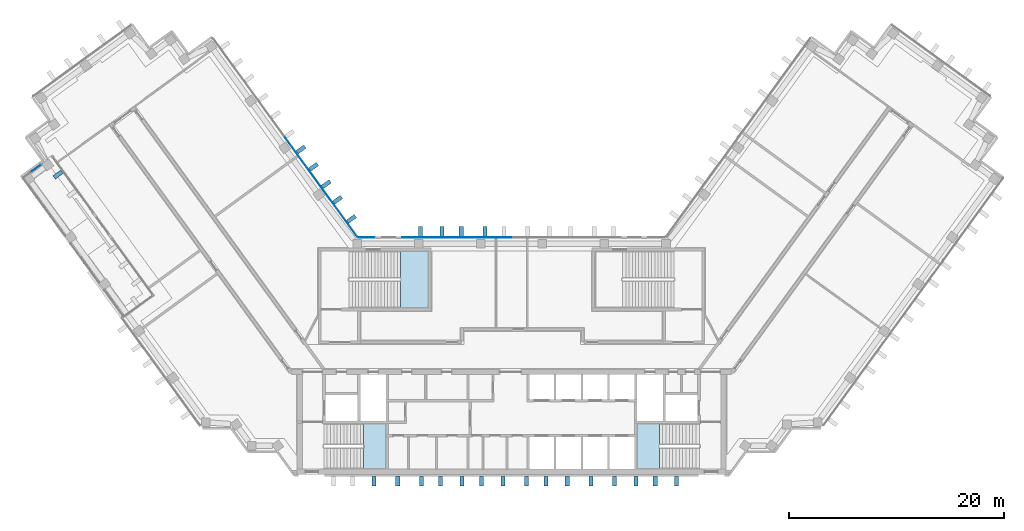
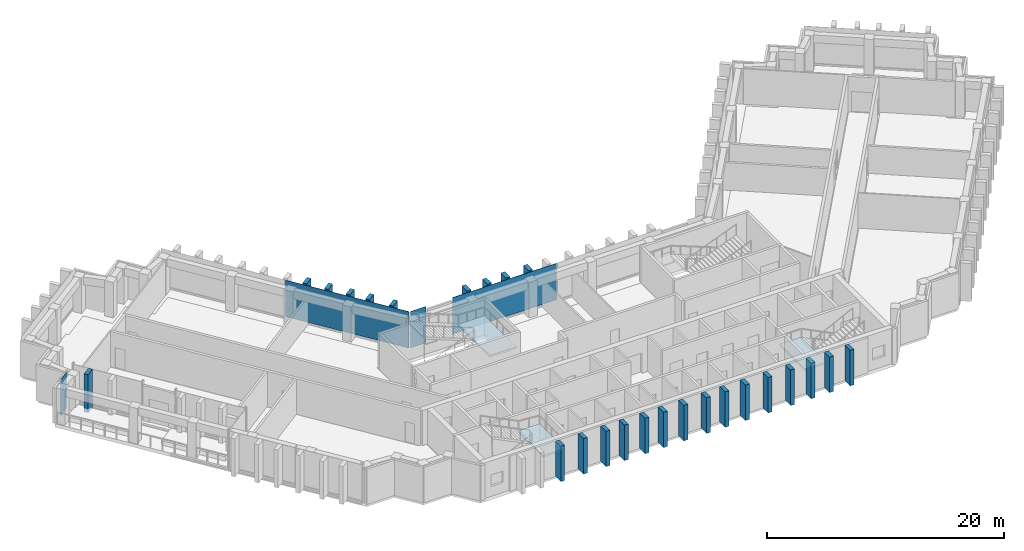
"""IFC4 building model written with IfcOpenShell, lengths in metres."""

from ifc_helpers import new_model, si_unit, direction, frame, origin, origin_2d, place, context, subcontext, project, spatial, polyline, rectangle, outline, extrude, material, layer, layer_set, type_object, element, aggregate, save


model = new_model("IFC4")

# Units and contexts
model_context = context("Model", 3, precision=1e-05, world=origin(), true_north=direction((0.0, 1.0)))
body_context = subcontext(model_context, "Body", "Model", "MODEL_VIEW")
ifc_project = project(units=[si_unit("LENGTHUNIT", "METRE"), si_unit("AREAUNIT", "SQUARE_METRE"), si_unit("VOLUMEUNIT", "CUBIC_METRE"), si_unit("PLANEANGLEUNIT", "RADIAN"), si_unit("MASSUNIT", "GRAM", prefix="KILO")], contexts=[model_context])

# Site, building, storey
site_placement = place(None, origin())
site = spatial("IfcSite", under=ifc_project, at=site_placement, CompositionType="ELEMENT")
building_placement = place(site_placement, origin())
building = spatial("IfcBuilding", under=site, at=building_placement, Name="Quipu Civic Tower", CompositionType="ELEMENT")
storey_1_placement = place(building_placement, frame((0.0, 0.0, 148.0)))
storey_1 = spatial("IfcBuildingStorey", under=building, at=storey_1_placement, Name="L34", CompositionType="ELEMENT", Elevation=148.0)

# Curtain wall
ifc_material_1 = material(Name="Insulated glass unit", Category="glass")
curtain_wall_type = type_object("IfcCurtainWallType", Name="Office curtain wall CW1", PredefinedType="NOTDEFINED", material=ifc_material_1)
curtain_wall_1_placement = place(storey_1_placement, origin())
curtain_wall_1 = element("IfcCurtainWall", 1, at=curtain_wall_1_placement, inside=storey_1, type_object=curtain_wall_type, Name="Office curtain wall CW1 L33 run 29", PredefinedType="NOTDEFINED")

# Storey
storey_2_placement = place(building_placement, frame((0.0, 0.0, 152.0)))
storey_2 = spatial("IfcBuildingStorey", under=building, at=storey_2_placement, Name="L35", CompositionType="ELEMENT", Elevation=152.0)

# Plate
ifc_material_2 = material(Name="Insulated glass unit", Category="glass")
ifc_layer_1 = layer(ifc_material_2, 0.028076171875)
ifc_layer_set_1 = layer_set([ifc_layer_1], Name="Insulated glass unit")
plate_type_1 = type_object("IfcPlateType", Name="Glass panel CW1", PredefinedType="CURTAIN_PANEL", material=ifc_layer_set_1)
plate_1_placement = place(storey_2_placement, frame((-5.11181640625, 11.10009765625, 0.16015625), z_axis=(0.0, 0.0, 1.0), x_axis=(-1.0, 0.0, 0.0)))
plate_1 = element("IfcPlate", 2, at=plate_1_placement, inside=storey_2, type_object=plate_type_1, Name="CW1 panel 2.3", PredefinedType="CURTAIN_PANEL", context=body_context, shape_type="SweptSolid", body=[
    extrude(rectangle(XDim=10.1435546875, YDim=0.028076171875, at=origin_2d()), origin(), (0.0, 0.0, 1.0), 3.760009765625),
])

aggregate(curtain_wall_1, [plate_1])

# Curtain wall, plate
curtain_wall_2_placement = place(storey_1_placement, origin())
curtain_wall_2 = element("IfcCurtainWall", 3, at=curtain_wall_2_placement, inside=storey_1, type_object=curtain_wall_type, Name="Office curtain wall CW1 L33 run 31", PredefinedType="NOTDEFINED")
plate_2_placement = place(storey_2_placement, frame((-13.49951171875, 11.10009765625, 0.16015625), z_axis=(0.0, 0.0, 1.0), x_axis=(-1.0, 0.0, 0.0)))
plate_2 = element("IfcPlate", 4, at=plate_2_placement, inside=storey_2, type_object=plate_type_1, Name="CW1 panel 1.3", PredefinedType="CURTAIN_PANEL", context=body_context, shape_type="SweptSolid", body=[
    extrude(rectangle(XDim=1.529296875, YDim=0.028076171875, at=origin_2d()), origin(), (0.0, 0.0, 1.0), 3.760009765625),
])
aggregate(curtain_wall_2, [plate_2])

curtain_wall_3_placement = place(storey_1_placement, origin())
curtain_wall_3 = element("IfcCurtainWall", 5, at=curtain_wall_3_placement, inside=storey_1, type_object=curtain_wall_type, Name="Office curtain wall CW1 L33 run 32", PredefinedType="NOTDEFINED")
plate_3_placement = place(storey_2_placement, frame((-17.7421875, 15.777099609375, 0.16015625), z_axis=(0.0, 0.0, 1.0), x_axis=(-0.587788727052, 0.809014469803, 0.0)))
plate_3 = element("IfcPlate", 6, at=plate_3_placement, inside=storey_2, type_object=plate_type_1, Name="CW1 panel 1.3", PredefinedType="CURTAIN_PANEL", context=body_context, shape_type="SweptSolid", body=[
    extrude(rectangle(XDim=11.402099609375, YDim=0.028076171875, at=origin_2d()), origin(), (0.0, 0.0, 1.0), 3.760009765625),
])
aggregate(curtain_wall_3, [plate_3])

curtain_wall_4_placement = place(storey_2_placement, origin())
curtain_wall_4 = element("IfcCurtainWall", 7, at=curtain_wall_4_placement, inside=storey_2, type_object=curtain_wall_type, Name="Office curtain wall CW1 L35 run 1", PredefinedType="NOTDEFINED")
plate_4_placement = place(storey_2_placement, frame((-44.3564453125, 17.531982421875, 0.240234375), z_axis=(0.0, 0.0, 1.0), x_axis=(0.80896765211, 0.5878531601, 0.0)))
plate_4 = element("IfcPlate", 8, at=plate_4_placement, type_object=plate_type_1, Name="CW1 panel 1.1", PredefinedType="CURTAIN_PANEL", context=body_context, shape_type="SweptSolid", body=[
    extrude(rectangle(XDim=1.240234375, YDim=0.028076171875, at=origin_2d()), origin(), (0.0, 0.0, 1.0), 3.679931640625),
])
aggregate(curtain_wall_4, [plate_4])

# Plates
ifc_material_3 = material(Name="Precast concrete C40/50", Category="concrete")
plate_type_2 = type_object("IfcPlateType", Name="Precast fin F2", PredefinedType="SHEET", material=ifc_material_3)
for number, where, z_axis, x_axis, name in (
    (9, (-12.81005859375, -11.637939453125, 0.0), (0.0, 0.0, 1.0), (1.0, 0.0, 0.0), "Precast fin F2 L35.P07.3"),
    (10, (-10.610107421875, -11.637939453125, 0.0), (0.0, 0.0, 1.0), (1.0, 0.0, 0.0), "Precast fin F2 L35.P07.4"),
    (11, (-8.409912109375, -11.637939453125, 0.0), (0.0, 0.0, 1.0), (1.0, 0.0, 0.0), "Precast fin F2 L35.P07.5"),
    (12, (-6.610107421875, -11.637939453125, 0.0), (0.0, 0.0, 1.0), (1.0, 0.0, 0.0), "Precast fin F2 L35.P07.6"),
    (13, (-4.610107421875, -11.637939453125, 0.0), (0.0, 0.0, 1.0), (1.0, 0.0, 0.0), "Precast fin F2 L35.P07.7"),
    (14, (-2.81005859375, -11.637939453125, 0.0), (0.0, 0.0, 1.0), (1.0, 0.0, 0.0), "Precast fin F2 L35.P07.8"),
    (15, (-0.81005859375, -11.637939453125, 0.0), (0.0, 0.0, 1.0), (1.0, 0.0, 0.0), "Precast fin F2 L35.P07.9"),
    (16, (1.389892578125, -11.637939453125, 0.0), (0.0, 0.0, 1.0), (1.0, 0.0, 0.0), "Precast fin F2 L35.P07.10"),
    (17, (3.18994140625, -11.637939453125, 0.0), (0.0, 0.0, 1.0), (1.0, 0.0, 0.0), "Precast fin F2 L35.P07.11"),
    (18, (5.18994140625, -11.637939453125, 0.0), (0.0, 0.0, 1.0), (1.0, 0.0, 0.0), "Precast fin F2 L35.P07.12"),
    (19, (7.389892578125, -11.637939453125, 0.0), (0.0, 0.0, 1.0), (1.0, 0.0, 0.0), "Precast fin F2 L35.P07.13"),
    (20, (9.590087890625, -11.637939453125, 0.0), (0.0, 0.0, 1.0), (1.0, 0.0, 0.0), "Precast fin F2 L35.P07.14"),
    (21, (11.590087890625, -11.637939453125, 0.0), (0.0, 0.0, 1.0), (1.0, 0.0, 0.0), "Precast fin F2 L35.P07.15"),
    (22, (13.389892578125, -11.637939453125, 0.0), (0.0, 0.0, 1.0), (1.0, 0.0, 0.0), "Precast fin F2 L35.P07.16"),
    (23, (15.389892578125, -11.637939453125, 0.0), (0.0, 0.0, 1.0), (1.0, 0.0, 0.0), "Precast fin F2 L35.P07.17"),
):
    element("IfcPlate", number, at=place(storey_2_placement, frame(where, z_axis=z_axis, x_axis=x_axis)), inside=storey_2, type_object=plate_type_2, Name=name, PredefinedType="SHEET", context=body_context, shape_type="SweptSolid", body=[
        extrude(rectangle(XDim=0.3798828125, YDim=0.89990234375, at=origin_2d()), origin(), (0.0, 0.0, 1.0), 3.64990234375),
    ])
for number, where, z_axis, x_axis, name in (
    (24, (-2.489990234375, 11.64990234375, 0.080078125), (0.0, 0.0, 1.0), (-1.0, 0.0, 0.0), "Precast fin F2 L35.P26.7"),
    (25, (-4.68994140625, 11.64990234375, 0.080078125), (0.0, 0.0, 1.0), (-1.0, 0.0, 0.0), "Precast fin F2 L35.P26.8"),
    (26, (-6.489990234375, 11.64990234375, 0.080078125), (0.0, 0.0, 1.0), (-1.0, 0.0, 0.0), "Precast fin F2 L35.P26.9"),
    (27, (-8.489990234375, 11.64990234375, 0.080078125), (0.0, 0.0, 1.0), (-1.0, 0.0, 0.0), "Precast fin F2 L35.P26.10"),
    (28, (-14.92138671875, 12.830078125, 0.080078125), (0.0, 0.0, 1.0), (-0.587787133119, 0.809015627871, 0.0), "Precast fin F2 L35.P29.1"),
    (29, (-16.214599609375, 14.610107421875, 0.080078125), (0.0, 0.0, 1.0), (-0.587787133119, 0.809015627871, 0.0), "Precast fin F2 L35.P29.2"),
    (30, (-17.272705078125, 16.066162109375, 0.080078125), (0.0, 0.0, 1.0), (-0.587787133119, 0.809015627871, 0.0), "Precast fin F2 L35.P29.3"),
    (31, (-18.4482421875, 17.684326171875, 0.080078125), (0.0, 0.0, 1.0), (-0.587787133119, 0.809015627871, 0.0), "Precast fin F2 L35.P29.4"),
    (32, (-19.623779296875, 19.30224609375, 0.080078125), (0.0, 0.0, 1.0), (-0.587787133119, 0.809015627871, 0.0), "Precast fin F2 L35.P29.5"),
    (33, (-42.271240234375, 16.9580078125, 0.080078125), (0.0, 0.0, 1.0), (0.587783675566, -0.809018139931, 0.0), "Precast fin F2 L35.3.1"),
):
    element("IfcPlate", number, at=place(storey_2_placement, frame(where, z_axis=z_axis, x_axis=x_axis)), inside=storey_2, type_object=plate_type_2, Name=name, PredefinedType="SHEET", context=body_context, shape_type="SweptSolid", body=[
        extrude(rectangle(XDim=0.3798828125, YDim=0.89990234375, at=origin_2d()), origin(), (0.0, 0.0, 1.0), 3.919921875),
    ])

# Stair, slab
ifc_material_4 = material(Name="Concrete C40/50", Category="concrete")
stair_type_1 = type_object("IfcStairType", Name="Half turn stair 2000", PredefinedType="HALF_TURN_STAIR", material=ifc_material_4)
stair_1_placement = place(storey_2_placement, origin())
stair_1 = element("IfcStair", 34, at=stair_1_placement, inside=storey_2, type_object=stair_type_1, Name="Exit stair 1", PredefinedType="HALF_TURN_STAIR")
ifc_material_5 = material(Name="Concrete C40/50", Category="concrete")
ifc_layer_2 = layer(ifc_material_5, 0.199951171875)
ifc_layer_set_2 = layer_set([ifc_layer_2], Name="Concrete C40/50")
slab_type = type_object("IfcSlabType", Name="Stair landing 200", PredefinedType="LANDING", material=ifc_layer_set_2)
slab_1_placement = place(storey_2_placement, frame((0.0, 0.0, 1.800048828125)))
slab_1 = element("IfcSlab", 35, at=slab_1_placement, type_object=slab_type, Name="ST-1 landing 1", PredefinedType="LANDING", context=body_context, shape_type="SweptSolid", body=[
    extrude(outline(polyline([(-13.780029296875, -10.5), (-11.699951171875, -10.5), (-11.699951171875, -6.25), (-13.780029296875, -6.25), (-13.780029296875, -10.5)])), origin(), (0.0, 0.0, 1.0), 0.199951171875),
])
aggregate(stair_1, [slab_1])

stair_2_placement = place(storey_2_placement, origin())
stair_2 = element("IfcStair", 36, at=stair_2_placement, inside=storey_2, type_object=stair_type_1, Name="Exit stair 2", PredefinedType="HALF_TURN_STAIR")
slab_2_placement = place(storey_2_placement, frame((0.0, 0.0, 1.800048828125)))
slab_2 = element("IfcSlab", 37, at=slab_2_placement, type_object=slab_type, Name="ST-2 landing 1", PredefinedType="LANDING", context=body_context, shape_type="SweptSolid", body=[
    extrude(outline(polyline([(13.780029296875, -6.25), (11.699951171875, -6.25), (11.699951171875, -10.5), (13.780029296875, -10.5), (13.780029296875, -6.25)])), origin(), (0.0, 0.0, 1.0), 0.199951171875),
])
aggregate(stair_2, [slab_2])

ifc_material_6 = material(Name="Concrete C40/50", Category="concrete")
stair_type_2 = type_object("IfcStairType", Name="Half turn stair 2600", PredefinedType="HALF_TURN_STAIR", material=ifc_material_6)
stair_3_placement = place(storey_2_placement, origin())
stair_3 = element("IfcStair", 38, at=stair_3_placement, inside=storey_2, type_object=stair_type_2, Name="Exit stair 3", PredefinedType="HALF_TURN_STAIR")
slab_3_placement = place(storey_2_placement, frame((0.0, 0.0, 1.800048828125)))
slab_3 = element("IfcSlab", 39, at=slab_3_placement, type_object=slab_type, Name="ST-3 landing 1", PredefinedType="LANDING", context=body_context, shape_type="SweptSolid", body=[
    extrude(outline(polyline([(-10.35009765625, 4.5), (-7.75, 4.5), (-7.75, 9.85009765625), (-10.35009765625, 9.85009765625), (-10.35009765625, 4.5)])), origin(), (0.0, 0.0, 1.0), 0.199951171875),
])
aggregate(stair_3, [slab_3])

save(model, "model.ifc")
